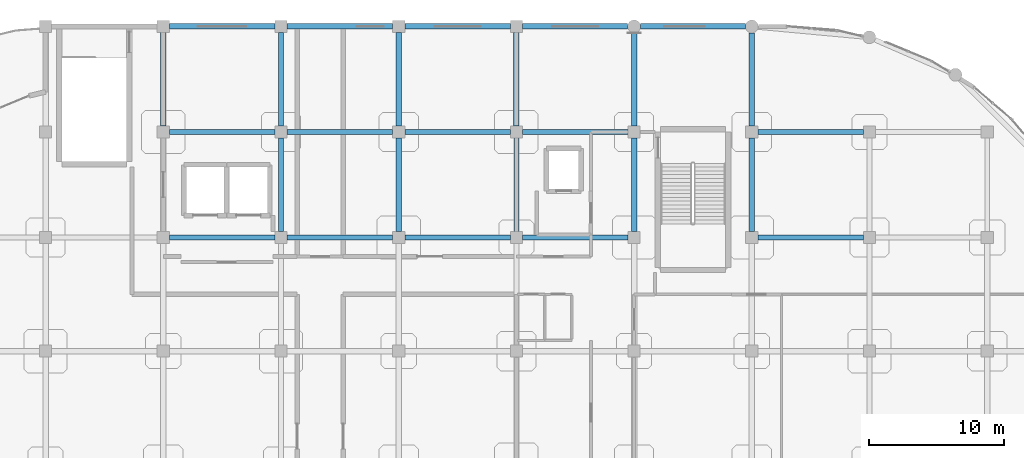
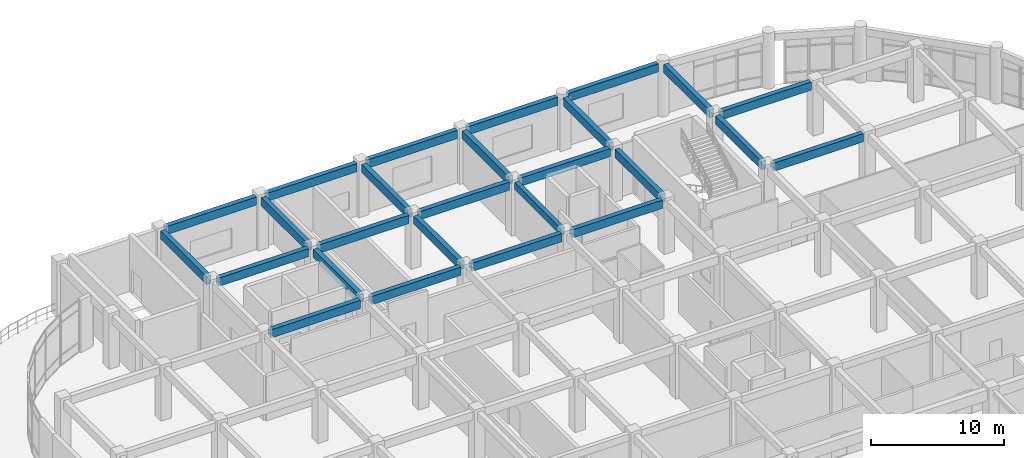
# One storey, part 54 of 120: 26 beams.
"""IFC4 building model written with IfcOpenShell, lengths in metres."""

from ifc_helpers import new_model, si_unit, derived_unit, direction, frame, origin, origin_2d, place, context, subcontext, project, spatial, rectangle, extrude, material, material_profile, profile_set, type_object, element, save


model = new_model("IFC4")

# Units and contexts
model_context = context("Model", 3, precision=1e-05, world=origin(), true_north=direction((0.0, 1.0)))
body_context = subcontext(model_context, "Body", "Model", "MODEL_VIEW")
ifc_project = project(units=[si_unit("LENGTHUNIT", "METRE"), si_unit("AREAUNIT", "SQUARE_METRE"), si_unit("VOLUMEUNIT", "CUBIC_METRE"), si_unit("PLANEANGLEUNIT", "RADIAN"), si_unit("MASSUNIT", "GRAM", prefix="KILO"), derived_unit("THERMALTRANSMITTANCEUNIT", [(si_unit("MASSUNIT", "GRAM", prefix="KILO"), 1), (si_unit("TIMEUNIT", "SECOND"), -3), (si_unit("THERMODYNAMICTEMPERATUREUNIT", "KELVIN"), -1)])], contexts=[model_context])

# Site, building, storey
site_placement = place(None, origin())
site = spatial("IfcSite", under=ifc_project, at=site_placement, CompositionType="ELEMENT")
building_placement = place(site_placement, origin())
building = spatial("IfcBuilding", under=site, at=building_placement, Name="Qinzheling Arcade Emporium", CompositionType="ELEMENT")
storey_placement = place(building_placement, frame((0.0, 0.0, 11.39990234375)))
storey = spatial("IfcBuildingStorey", under=building, at=storey_placement, Name="L03", CompositionType="ELEMENT", Elevation=11.39990234375)

# Beams
ifc_material = material(Name="Concrete C40", Category="concrete")
ifc_material_profile_1 = material_profile(ifc_material, rectangle(XDim=0.39990234375, YDim=0.75, at=origin_2d()), Name="RC 400x750", Category="concrete")
ifc_profile_set_1 = profile_set([ifc_material_profile_1], Name="Concrete C40")
beam_type_1 = type_object("IfcBeamType", Name="RC Interior Tie Beam 400x750 C40", PredefinedType="BEAM", material=ifc_profile_set_1)
for number, where, z_axis, x_axis, name in (
    (1, (78.75, 99.0, 4.445068359375), (1.0, 0.0, 0.0), (0.0, 1.0, 0.0), "Beam BM-L03-X-M-10"),
    (2, (87.449951171875, 99.0, 4.445068359375), (1.0, 0.0, 0.0), (0.0, 1.0, 0.0), "Beam BM-L03-X-M-11"),
    (3, (96.14990234375, 99.0, 4.445068359375), (1.0, 0.0, 0.0), (0.0, 1.0, 0.0), "Beam BM-L03-X-M-12"),
):
    element("IfcBeam", number, at=place(storey_placement, frame(where, z_axis=z_axis, x_axis=x_axis)), inside=storey, type_object=beam_type_1, Name=name, PredefinedType="BEAM", context=body_context, shape_type="SweptSolid", body=[
        extrude(rectangle(XDim=0.39990234375, YDim=0.75, at=origin_2d()), origin(), (0.0, 0.0, 1.0), 7.800048828125),
    ])
beam_1_placement = place(storey_placement, frame((104.85009765625, 99.0, 4.460205078125), z_axis=(1.0, 0.0, 0.0), x_axis=(0.0, 1.0, 0.0)))
element("IfcBeam", 4, at=beam_1_placement, inside=storey, type_object=beam_type_1, Name="Beam BM-L03-X-M-13", PredefinedType="BEAM", context=body_context, shape_type="SweptSolid", body=[
    extrude(rectangle(XDim=0.39990234375, YDim=0.75, at=origin_2d()), origin(), (0.0, 0.0, 1.0), 7.7998046875),
])
for number, where, z_axis, x_axis, name in (
    (5, (122.25, 99.0, 4.460205078125), (1.0, 0.0, 0.0), (0.0, 1.0, 0.0), "Beam BM-L03-X-M-15"),
    (6, (78.75, 106.800048828125, 4.445068359375), (1.0, 0.0, 0.0), (0.0, 1.0, 0.0), "Beam BM-L03-X-N-10"),
    (7, (87.449951171875, 106.800048828125, 4.445068359375), (1.0, 0.0, 0.0), (0.0, 1.0, 0.0), "Beam BM-L03-X-N-11"),
    (8, (96.14990234375, 106.800048828125, 4.445068359375), (1.0, 0.0, 0.0), (0.0, 1.0, 0.0), "Beam BM-L03-X-N-12"),
):
    element("IfcBeam", number, at=place(storey_placement, frame(where, z_axis=z_axis, x_axis=x_axis)), inside=storey, type_object=beam_type_1, Name=name, PredefinedType="BEAM", context=body_context, shape_type="SweptSolid", body=[
        extrude(rectangle(XDim=0.39990234375, YDim=0.75, at=origin_2d()), origin(), (0.0, 0.0, 1.0), 7.800048828125),
    ])
beam_2_placement = place(storey_placement, frame((104.85009765625, 106.800048828125, 4.460205078125), z_axis=(1.0, 0.0, 0.0), x_axis=(0.0, 1.0, 0.0)))
element("IfcBeam", 9, at=beam_2_placement, inside=storey, type_object=beam_type_1, Name="Beam BM-L03-X-N-13", PredefinedType="BEAM", context=body_context, shape_type="SweptSolid", body=[
    extrude(rectangle(XDim=0.39990234375, YDim=0.75, at=origin_2d()), origin(), (0.0, 0.0, 1.0), 7.7998046875),
])
for number, where, z_axis, x_axis, name in (
    (10, (122.25, 106.800048828125, 4.460205078125), (1.0, 0.0, 0.0), (0.0, 1.0, 0.0), "Beam BM-L03-X-N-15"),
    (11, (78.75, 114.60009765625, 4.445068359375), (1.0, 0.0, 0.0), (0.0, 1.0, 0.0), "Beam BM-L03-X-P-10"),
    (12, (87.449951171875, 114.60009765625, 4.445068359375), (1.0, 0.0, 0.0), (0.0, 1.0, 0.0), "Beam BM-L03-X-P-11"),
    (13, (96.14990234375, 114.60009765625, 4.445068359375), (1.0, 0.0, 0.0), (0.0, 1.0, 0.0), "Beam BM-L03-X-P-12"),
):
    element("IfcBeam", number, at=place(storey_placement, frame(where, z_axis=z_axis, x_axis=x_axis)), inside=storey, type_object=beam_type_1, Name=name, PredefinedType="BEAM", context=body_context, shape_type="SweptSolid", body=[
        extrude(rectangle(XDim=0.39990234375, YDim=0.75, at=origin_2d()), origin(), (0.0, 0.0, 1.0), 7.800048828125),
    ])
beam_3_placement = place(storey_placement, frame((104.85009765625, 114.60009765625, 4.445068359375), z_axis=(1.0, 0.0, 0.0), x_axis=(0.0, 1.0, 0.0)))
element("IfcBeam", 14, at=beam_3_placement, inside=storey, type_object=beam_type_1, Name="Beam BM-L03-X-P-13", PredefinedType="BEAM", context=body_context, shape_type="SweptSolid", body=[
    extrude(rectangle(XDim=0.39990234375, YDim=0.75, at=origin_2d()), origin(), (0.0, 0.0, 1.0), 7.77490234375),
])
beam_4_placement = place(storey_placement, frame((113.574951171875, 114.60009765625, 4.445068359375), z_axis=(1.0, 0.0, 0.0), x_axis=(0.0, 1.0, 0.0)))
element("IfcBeam", 15, at=beam_4_placement, inside=storey, type_object=beam_type_1, Name="Beam BM-L03-X-P-14", PredefinedType="BEAM", context=body_context, shape_type="SweptSolid", body=[
    extrude(rectangle(XDim=0.39990234375, YDim=0.75, at=origin_2d()), origin(), (0.0, 0.0, 1.0), 7.75),
])
beam_5_placement = place(storey_placement, frame((78.300048828125, 107.25, 4.445068359375), z_axis=(0.0, 1.0, 0.0), x_axis=(-1.0, 0.0, 0.0)))
element("IfcBeam", 16, at=beam_5_placement, inside=storey, type_object=beam_type_1, Name="Beam BM-L03-Y-10-N", PredefinedType="BEAM", context=body_context, shape_type="SweptSolid", body=[
    extrude(rectangle(XDim=0.39990234375, YDim=0.75, at=origin_2d()), origin(), (0.0, 0.0, 1.0), 6.89990234375),
])
beam_6_placement = place(storey_placement, frame((87.0, 99.449951171875, 4.445068359375), z_axis=(0.0, 1.0, 0.0), x_axis=(-1.0, 0.0, 0.0)))
element("IfcBeam", 17, at=beam_6_placement, inside=storey, type_object=beam_type_1, Name="Beam BM-L03-Y-11-M", PredefinedType="BEAM", context=body_context, shape_type="SweptSolid", body=[
    extrude(rectangle(XDim=0.39990234375, YDim=0.75, at=origin_2d()), origin(), (0.0, 0.0, 1.0), 6.900146484375),
])
beam_7_placement = place(storey_placement, frame((87.0, 107.25, 4.445068359375), z_axis=(0.0, 1.0, 0.0), x_axis=(-1.0, 0.0, 0.0)))
element("IfcBeam", 18, at=beam_7_placement, inside=storey, type_object=beam_type_1, Name="Beam BM-L03-Y-11-N", PredefinedType="BEAM", context=body_context, shape_type="SweptSolid", body=[
    extrude(rectangle(XDim=0.39990234375, YDim=0.75, at=origin_2d()), origin(), (0.0, 0.0, 1.0), 6.89990234375),
])
beam_8_placement = place(storey_placement, frame((95.699951171875, 99.449951171875, 4.445068359375), z_axis=(0.0, 1.0, 0.0), x_axis=(-1.0, 0.0, 0.0)))
element("IfcBeam", 19, at=beam_8_placement, inside=storey, type_object=beam_type_1, Name="Beam BM-L03-Y-12-M", PredefinedType="BEAM", context=body_context, shape_type="SweptSolid", body=[
    extrude(rectangle(XDim=0.39990234375, YDim=0.75, at=origin_2d()), origin(), (0.0, 0.0, 1.0), 6.900146484375),
])
for number, where, z_axis, x_axis, name in (
    (20, (95.699951171875, 107.25, 4.445068359375), (0.0, 1.0, 0.0), (-1.0, 0.0, 0.0), "Beam BM-L03-Y-12-N"),
    (21, (104.39990234375, 107.25, 4.460205078125), (0.0, 1.0, 0.0), (-1.0, 0.0, 0.0), "Beam BM-L03-Y-13-N"),
):
    element("IfcBeam", number, at=place(storey_placement, frame(where, z_axis=z_axis, x_axis=x_axis)), inside=storey, type_object=beam_type_1, Name=name, PredefinedType="BEAM", context=body_context, shape_type="SweptSolid", body=[
        extrude(rectangle(XDim=0.39990234375, YDim=0.75, at=origin_2d()), origin(), (0.0, 0.0, 1.0), 6.89990234375),
    ])
beam_9_placement = place(storey_placement, frame((113.10009765625, 99.449951171875, 4.460205078125), z_axis=(0.0, 1.0, 0.0), x_axis=(-1.0, 0.0, 0.0)))
element("IfcBeam", 22, at=beam_9_placement, inside=storey, type_object=beam_type_1, Name="Beam BM-L03-Y-14-M", PredefinedType="BEAM", context=body_context, shape_type="SweptSolid", body=[
    extrude(rectangle(XDim=0.39990234375, YDim=0.75, at=origin_2d()), origin(), (0.0, 0.0, 1.0), 6.900146484375),
])
beam_10_placement = place(storey_placement, frame((113.10009765625, 107.25, 4.460205078125), z_axis=(0.0, 1.0, 0.0), x_axis=(-1.0, 0.0, 0.0)))
element("IfcBeam", 23, at=beam_10_placement, inside=storey, type_object=beam_type_1, Name="Beam BM-L03-Y-14-N", PredefinedType="BEAM", context=body_context, shape_type="SweptSolid", body=[
    extrude(rectangle(XDim=0.39990234375, YDim=0.75, at=origin_2d()), origin(), (0.0, 0.0, 1.0), 6.875),
])
beam_11_placement = place(storey_placement, frame((121.800048828125, 99.449951171875, 4.460205078125), z_axis=(0.0, 1.0, 0.0), x_axis=(-1.0, 0.0, 0.0)))
element("IfcBeam", 24, at=beam_11_placement, inside=storey, type_object=beam_type_1, Name="Beam BM-L03-Y-15-M", PredefinedType="BEAM", context=body_context, shape_type="SweptSolid", body=[
    extrude(rectangle(XDim=0.39990234375, YDim=0.75, at=origin_2d()), origin(), (0.0, 0.0, 1.0), 6.900146484375),
])
beam_12_placement = place(storey_placement, frame((121.800048828125, 107.25, 4.460205078125), z_axis=(0.0, 1.0, 0.0), x_axis=(-1.0, 0.0, 0.0)))
element("IfcBeam", 25, at=beam_12_placement, inside=storey, type_object=beam_type_1, Name="Beam BM-L03-Y-15-N", PredefinedType="BEAM", context=body_context, shape_type="SweptSolid", body=[
    extrude(rectangle(XDim=0.39990234375, YDim=0.75, at=origin_2d()), origin(), (0.0, 0.0, 1.0), 6.875),
])
ifc_material_profile_2 = material_profile(ifc_material, rectangle(XDim=0.35009765625, YDim=0.64990234375, at=origin_2d()), Name="RC 350x650", Category="concrete")
ifc_profile_set_2 = profile_set([ifc_material_profile_2], Name="Concrete C40")
beam_type_2 = type_object("IfcBeamType", Name="RC Spandrel Edge Beam 350x650 C40", PredefinedType="SPANDREL", material=ifc_profile_set_2)
beam_13_placement = place(storey_placement, frame((104.39990234375, 99.449951171875, 4.510009765625), z_axis=(0.0, 1.0, 0.0), x_axis=(-1.0, 0.0, 0.0)))
element("IfcBeam", 26, at=beam_13_placement, inside=storey, type_object=beam_type_2, Name="Beam BM-L03-Y-13-M", PredefinedType="SPANDREL", context=body_context, shape_type="SweptSolid", body=[
    extrude(rectangle(XDim=0.35009765625, YDim=0.64990234375, at=origin_2d()), origin(), (0.0, 0.0, 1.0), 6.900146484375),
])

save(model, "model.ifc")
